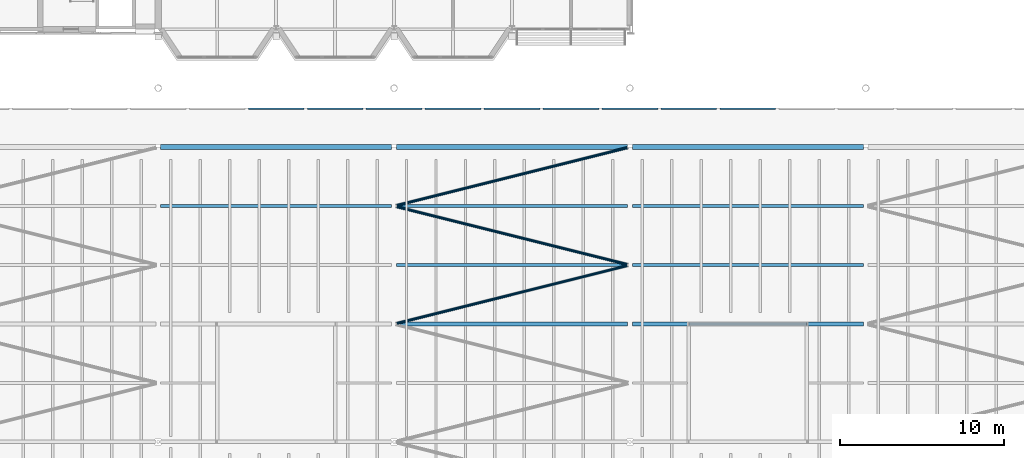
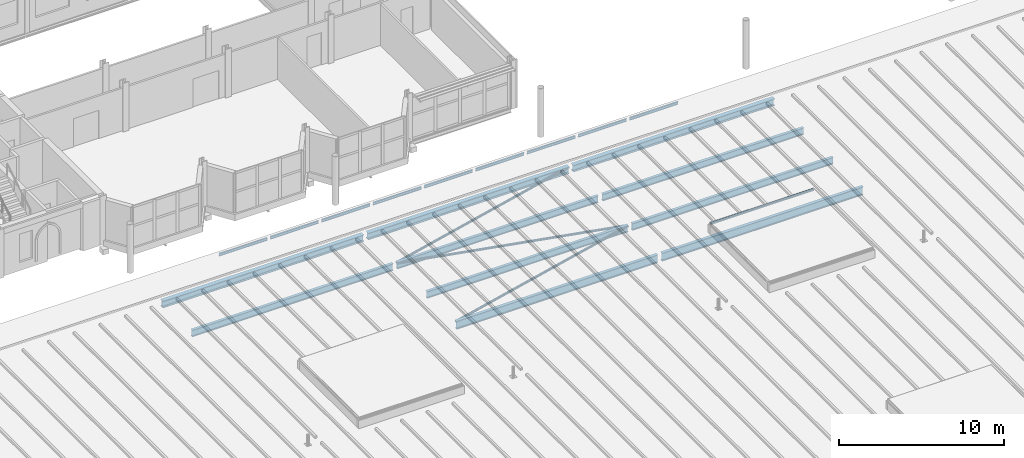
# One storey, part 37 of 120: 19 beams, 4 members.
"""IFC4 building model written with IfcOpenShell, lengths in metres."""

import ifcopenshell
import ifcopenshell.guid

model = None  # the IFC model being written
_history = None  # IfcOwnerHistory: only IFC2X3 demands one
_inside = {}  # id of a spatial element -> (the spatial element, [elements in it])
_under = {}  # id of a project, library or spatial element -> (it, [spatial elements below it])
_declared = {}  # id of a project -> (the project, [libraries it declares])
_typed = {}  # id of a type object -> (the type object, [elements of that type])
_made_of = {}  # id of a material, layer set ... -> (it, [elements and type objects made of it])


def new_model(schema):
    """Start an empty IFC model of exactly this schema.

    Asked for "IFC4X3", IfcOpenShell would pick the latest addendum, in which some entities
    have other attributes; the version numbers below select the first issue.
    IFC2X3 requires an IfcOwnerHistory on every rooted entity: one is made here for all.
    """
    global model, _history
    if schema == "IFC4X3":
        model = ifcopenshell.file(schema_version=(4, 3, 0, 0))
    else:
        model = ifcopenshell.file(schema=schema)
    _inside.clear()
    _under.clear()
    _declared.clear()
    _typed.clear()
    _made_of.clear()
    _history = None
    if model.schema == "IFC2X3":
        org = make("IfcOrganization", Name="unknown")
        user = make(
            "IfcPersonAndOrganization",
            ThePerson=make("IfcPerson", FamilyName="unknown"),
            TheOrganization=org,
        )
        app = make(
            "IfcApplication",
            ApplicationDeveloper=org,
            Version="unknown",
            ApplicationFullName="unknown",
            ApplicationIdentifier="unknown",
        )
        _history = make(
            "IfcOwnerHistory",
            OwningUser=user,
            OwningApplication=app,
            ChangeAction="ADDED",
            CreationDate=0,
        )
    return model


def make(cls, **values):
    """One entity of the class cls with the attributes given. An attribute that is None is left unset."""
    return model.create_entity(
        cls, **{name: value for name, value in values.items() if value is not None}
    )


def rooted(cls, **values):
    """An entity with a GlobalId (a new one), such as an element, a storey or a relation."""
    return make(cls, GlobalId=ifcopenshell.guid.new(), OwnerHistory=_history, **values)


def si_unit(unit_type, name, prefix=None):
    """IfcSIUnit, for example si_unit("LENGTHUNIT", "METRE", prefix="MILLI")."""
    return make("IfcSIUnit", UnitType=unit_type, Prefix=prefix, Name=name)


def assignment(units):
    """IfcUnitAssignment: the units of a project."""
    return None if units is None else make("IfcUnitAssignment", Units=units)


def point(xyz):
    """IfcCartesianPoint."""
    return None if xyz is None else make("IfcCartesianPoint", Coordinates=xyz)


def direction(xyz):
    """IfcDirection."""
    return None if xyz is None else make("IfcDirection", DirectionRatios=xyz)


def frame(location, z_axis=None, x_axis=None):
    """IfcAxis2Placement3D, a coordinate frame: its origin and axes. An axis left out is left unset."""
    return make(
        "IfcAxis2Placement3D",
        Location=point(location),
        Axis=direction(z_axis),
        RefDirection=direction(x_axis),
    )


def frame_2d(location, x_axis=None):
    """IfcAxis2Placement2D, a coordinate frame in the plane: its origin and x axis."""
    return make(
        "IfcAxis2Placement2D", Location=point(location), RefDirection=direction(x_axis)
    )


def origin():
    """The frame at (0, 0, 0) with its axes left unset."""
    return frame((0.0, 0.0, 0.0))


def origin_2d():
    """The frame at (0, 0) in the plane with its x axis left unset."""
    return frame_2d((0.0, 0.0))


def place(relative_to, where):
    """IfcLocalPlacement: puts the frame where relative to a parent placement (None: the world)."""
    return make(
        "IfcLocalPlacement", PlacementRelTo=relative_to, RelativePlacement=where
    )


def context(
    kind, dimensions, precision=None, world=None, true_north=None, identifier=None
):
    """IfcGeometricRepresentationContext, for example the 3D "Model" context."""
    return make(
        "IfcGeometricRepresentationContext",
        ContextIdentifier=identifier,
        ContextType=kind,
        CoordinateSpaceDimension=dimensions,
        Precision=precision,
        WorldCoordinateSystem=world,
        TrueNorth=true_north,
    )


def subcontext(parent, identifier, kind, view, scale=None):
    """IfcGeometricRepresentationSubContext, for example "Body" below "Model"."""
    return make(
        "IfcGeometricRepresentationSubContext",
        ContextIdentifier=identifier,
        ContextType=kind,
        ParentContext=parent,
        TargetScale=scale,
        TargetView=view,
    )


def project(units=None, contexts=None):
    """IfcProject with its units and contexts."""
    return rooted(
        "IfcProject",
        Name="project",
        RepresentationContexts=contexts,
        UnitsInContext=assignment(units),
    )


def spatial(cls, under=None, at=None, **own):
    """A site, building, storey or space (cls), placed at a placement, below another one or the project."""
    s = rooted(cls, ObjectPlacement=at, **own)
    if under is not None:
        _under.setdefault(under.id(), (under, []))[1].append(s)
    return s


def profile(cls, at=None, kind="AREA", **sizes):
    """A parametric profile (cls). Its sizes go by their IFC names, for example OverallWidth=200.0."""
    return make(cls, ProfileType=kind, Position=at, **sizes)


def hollow_circle(**sizes):
    """IfcCircleHollowProfileDef."""
    return profile("IfcCircleHollowProfileDef", **sizes)


def i_section(**sizes):
    """IfcIShapeProfileDef."""
    return profile("IfcIShapeProfileDef", **sizes)


def extrude(swept, where, along, depth):
    """IfcExtrudedAreaSolid: the profile swept, set in the frame where, extruded along a direction by depth."""
    return make(
        "IfcExtrudedAreaSolid",
        SweptArea=swept,
        Position=where,
        ExtrudedDirection=direction(along),
        Depth=depth,
    )


def shape(context_of_items, identifier, shape_type, items):
    """IfcShapeRepresentation: the items that make up one representation, for example the "Body"."""
    return make(
        "IfcShapeRepresentation",
        ContextOfItems=context_of_items,
        RepresentationIdentifier=identifier,
        RepresentationType=shape_type,
        Items=items,
    )


def material(Name=None, Category=None):
    """IfcMaterial."""
    return make("IfcMaterial", Name=Name, Category=Category)


def material_profile(
    of_material, cross_section, Name=None, Category=None, Priority=None
):
    """IfcMaterialProfile: a cross section and its material."""
    return make(
        "IfcMaterialProfile",
        Name=Name,
        Material=of_material,
        Profile=cross_section,
        Priority=Priority,
        Category=Category,
    )


def profile_set(profiles, Name=None, composite=None):
    """IfcMaterialProfileSet."""
    return make(
        "IfcMaterialProfileSet",
        Name=Name,
        MaterialProfiles=profiles,
        CompositeProfile=composite,
    )


def made_of(thing, what):
    """Note that an element or type object is made of a material, layer set ...; save() writes the relation."""
    if what is not None:
        _made_of.setdefault(what.id(), (what, []))[1].append(thing)
    return thing


def type_object(cls, material=None, **own):
    """A type object (cls), such as IfcWallType, which elements share."""
    return made_of(rooted(cls, **own), material)


def element(
    cls,
    number,
    at=None,
    inside=None,
    cuts=None,
    type_object=None,
    material=None,
    context=None,
    identifier="Body",
    shape_type=None,
    held_by="IfcProductDefinitionShape",
    body=None,
    shapes=None,
    **own,
):
    """One element of the class cls, such as IfcWall. Its Tag is "e" and its number.

    at: its placement. inside: the storey or other place that contains it. cuts: it is an
    opening in that element (IfcRelVoidsElement). A single representation is given by context,
    identifier, shape_type and body (its items); several are given by shapes. held_by: the class
    of the entity that holds the representations. save() writes the other relations.
    """
    e = rooted(cls, Tag="e%d" % number, ObjectPlacement=at, **own)
    if body is not None:
        shapes = [shape(context, identifier, shape_type, body)]
    if shapes is not None:
        e.Representation = make(held_by, Representations=shapes)
    if inside is not None:
        _inside.setdefault(inside.id(), (inside, []))[1].append(e)
    if cuts is not None:
        rooted(
            "IfcRelVoidsElement", RelatingBuildingElement=cuts, RelatedOpeningElement=e
        )
    if type_object is not None:
        _typed.setdefault(type_object.id(), (type_object, []))[1].append(e)
    return made_of(e, material)


def aggregate(whole, parts):
    """IfcRelAggregates: a whole, such as a stair, and the parts it consists of."""
    return rooted("IfcRelAggregates", RelatingObject=whole, RelatedObjects=parts)


def save(model, path):
    """Write the relations noted so far, then the file.

    IfcRelAggregates (storeys below a building ...), IfcRelContainedInSpatialStructure (elements
    in a storey), IfcRelDefinesByType, IfcRelAssociatesMaterial and IfcRelDeclares: one each for
    every whole, place, type object, material and project.
    """
    for whole, parts in _under.values():
        aggregate(whole, parts)
    for where, things in _inside.values():
        rooted(
            "IfcRelContainedInSpatialStructure",
            RelatedElements=things,
            RelatingStructure=where,
        )
    for kind, things in _typed.values():
        rooted("IfcRelDefinesByType", RelatedObjects=things, RelatingType=kind)
    for what, things in _made_of.values():
        rooted("IfcRelAssociatesMaterial", RelatedObjects=things, RelatingMaterial=what)
    for by, libraries in _declared.values():
        rooted("IfcRelDeclares", RelatingContext=by, RelatedDefinitions=libraries)
    model.write(path)


model = new_model("IFC4")

# Units and contexts
model_context = context("Model", 3, precision=1e-05, world=origin(), true_north=direction((0.0, 1.0)))
body_context = subcontext(model_context, "Body", "Model", "MODEL_VIEW")
ifc_project = project(units=[si_unit("LENGTHUNIT", "METRE"), si_unit("AREAUNIT", "SQUARE_METRE"), si_unit("VOLUMEUNIT", "CUBIC_METRE"), si_unit("PLANEANGLEUNIT", "RADIAN"), si_unit("MASSUNIT", "GRAM", prefix="KILO")], contexts=[model_context])

# Site, building, storey
site_placement = place(None, origin())
site = spatial("IfcSite", under=ifc_project, at=site_placement, CompositionType="ELEMENT")
building_placement = place(site_placement, origin())
building = spatial("IfcBuilding", under=site, at=building_placement, Name="Kupolbacken Congress Centre", CompositionType="ELEMENT")
storey_placement = place(building_placement, frame((0.0, 0.0, 21.60009765625)))
storey = spatial("IfcBuildingStorey", under=building, at=storey_placement, Name="L06", CompositionType="ELEMENT", Elevation=21.60009765625)

# Beams
ifc_material_1 = material(Name="Steel S355", Category="steel")
ifc_material_profile_1 = material_profile(ifc_material_1, i_section(OverallWidth=0.10009765625, OverallDepth=0.199951171875, WebThickness=0.005615234375, FlangeThickness=0.008544921875, FilletRadius=0.011962890625, at=origin_2d()), Name="IPE 200")
ifc_profile_set_1 = profile_set([ifc_material_profile_1], Name="Steel S355")
beam_type_1 = type_object("IfcBeamType", Name="B01 beam IPE 200", PredefinedType="BEAM", material=ifc_profile_set_1)
for number, where, z_axis, x_axis, name in (
    (1, (113.5, 117.550048828125, 0.06982421875), (1.0, 0.0, 0.0), (0.0, 1.0, 0.0), "S/edge/HE/N/08"),
    (2, (117.10009765625, 117.550048828125, 0.06982421875), (1.0, 0.0, 0.0), (0.0, 1.0, 0.0), "S/edge/HE/N/09"),
):
    element("IfcBeam", number, at=place(storey_placement, frame(where, z_axis=z_axis, x_axis=x_axis)), inside=storey, type_object=beam_type_1, Name=name, PredefinedType="BEAM", context=body_context, shape_type="SweptSolid", body=[
        extrude(i_section(OverallWidth=0.10009765625, OverallDepth=0.199951171875, WebThickness=0.005615234375, FlangeThickness=0.008544921875, FilletRadius=0.011962890625, at=origin_2d()), origin(), (0.0, 0.0, 1.0), 3.39990234375),
    ])
beam_1_placement = place(storey_placement, frame((120.699951171875, 117.550048828125, 0.06982421875), z_axis=(1.0, 0.0, 0.0), x_axis=(0.0, 1.0, 0.0)))
element("IfcBeam", 3, at=beam_1_placement, inside=storey, type_object=beam_type_1, Name="S/edge/HE/N/10", PredefinedType="BEAM", context=body_context, shape_type="SweptSolid", body=[
    extrude(i_section(OverallWidth=0.10009765625, OverallDepth=0.199951171875, WebThickness=0.005615234375, FlangeThickness=0.008544921875, FilletRadius=0.011962890625, at=origin_2d()), origin(), (0.0, 0.0, 1.0), 3.400146484375),
])
beam_2_placement = place(storey_placement, frame((124.300048828125, 117.550048828125, 0.06982421875), z_axis=(1.0, 0.0, 0.0), x_axis=(0.0, 1.0, 0.0)))
element("IfcBeam", 4, at=beam_2_placement, inside=storey, type_object=beam_type_1, Name="S/edge/HE/N/11", PredefinedType="BEAM", context=body_context, shape_type="SweptSolid", body=[
    extrude(i_section(OverallWidth=0.10009765625, OverallDepth=0.199951171875, WebThickness=0.005615234375, FlangeThickness=0.008544921875, FilletRadius=0.011962890625, at=origin_2d()), origin(), (0.0, 0.0, 1.0), 3.39990234375),
])
beam_3_placement = place(storey_placement, frame((127.89990234375, 117.550048828125, 0.06982421875), z_axis=(1.0, 0.0, 0.0), x_axis=(0.0, 1.0, 0.0)))
element("IfcBeam", 5, at=beam_3_placement, inside=storey, type_object=beam_type_1, Name="S/edge/HE/N/12", PredefinedType="BEAM", context=body_context, shape_type="SweptSolid", body=[
    extrude(i_section(OverallWidth=0.10009765625, OverallDepth=0.199951171875, WebThickness=0.005615234375, FlangeThickness=0.008544921875, FilletRadius=0.011962890625, at=origin_2d()), origin(), (0.0, 0.0, 1.0), 3.400146484375),
])
for number, where, z_axis, x_axis, name in (
    (6, (131.5, 117.550048828125, 0.06982421875), (1.0, 0.0, 0.0), (0.0, 1.0, 0.0), "S/edge/HE/N/13"),
    (7, (135.10009765625, 117.550048828125, 0.06982421875), (1.0, 0.0, 0.0), (0.0, 1.0, 0.0), "S/edge/HE/N/14"),
):
    element("IfcBeam", number, at=place(storey_placement, frame(where, z_axis=z_axis, x_axis=x_axis)), inside=storey, type_object=beam_type_1, Name=name, PredefinedType="BEAM", context=body_context, shape_type="SweptSolid", body=[
        extrude(i_section(OverallWidth=0.10009765625, OverallDepth=0.199951171875, WebThickness=0.005615234375, FlangeThickness=0.008544921875, FilletRadius=0.011962890625, at=origin_2d()), origin(), (0.0, 0.0, 1.0), 3.39990234375),
    ])
beam_4_placement = place(storey_placement, frame((138.699951171875, 117.550048828125, 0.06982421875), z_axis=(1.0, 0.0, 0.0), x_axis=(0.0, 1.0, 0.0)))
element("IfcBeam", 8, at=beam_4_placement, inside=storey, type_object=beam_type_1, Name="S/edge/HE/N/15", PredefinedType="BEAM", context=body_context, shape_type="SweptSolid", body=[
    extrude(i_section(OverallWidth=0.10009765625, OverallDepth=0.199951171875, WebThickness=0.005615234375, FlangeThickness=0.008544921875, FilletRadius=0.011962890625, at=origin_2d()), origin(), (0.0, 0.0, 1.0), 3.400146484375),
])
beam_5_placement = place(storey_placement, frame((142.300048828125, 117.550048828125, 0.06982421875), z_axis=(1.0, 0.0, 0.0), x_axis=(0.0, 1.0, 0.0)))
element("IfcBeam", 9, at=beam_5_placement, inside=storey, type_object=beam_type_1, Name="S/edge/HE/N/16", PredefinedType="BEAM", context=body_context, shape_type="SweptSolid", body=[
    extrude(i_section(OverallWidth=0.10009765625, OverallDepth=0.199951171875, WebThickness=0.005615234375, FlangeThickness=0.008544921875, FilletRadius=0.011962890625, at=origin_2d()), origin(), (0.0, 0.0, 1.0), 3.39990234375),
])
ifc_material_2 = material(Name="Steel S355", Category="steel")
ifc_material_profile_2 = material_profile(ifc_material_2, i_section(OverallWidth=0.199951171875, OverallDepth=0.5, WebThickness=0.01025390625, FlangeThickness=0.01611328125, FilletRadius=0.02099609375, at=origin_2d()), Name="IPE 500")
ifc_profile_set_2 = profile_set([ifc_material_profile_2], Name="Steel S355")
beam_type_2 = type_object("IfcBeamType", Name="B09 beam IPE 500", PredefinedType="BEAM", material=ifc_profile_set_2)
beam_6_placement = place(storey_placement, frame((122.544921875, 108.0, -0.25), z_axis=(1.0, 0.0, 0.0), x_axis=(0.0, 1.0, 0.0)))
element("IfcBeam", 10, at=beam_6_placement, inside=storey, type_object=beam_type_2, Name="HR/P18-03", PredefinedType="BEAM", context=body_context, shape_type="SweptSolid", body=[
    extrude(i_section(OverallWidth=0.199951171875, OverallDepth=0.5, WebThickness=0.01025390625, FlangeThickness=0.01611328125, FilletRadius=0.02099609375, at=origin_2d()), origin(), (0.0, 0.0, 1.0), 14.110107421875),
])
for number, where, z_axis, x_axis, name in (
    (11, (136.945068359375, 108.0, -0.25), (1.0, 0.0, 0.0), (0.0, 1.0, 0.0), "HR/P18-04"),
    (12, (108.14501953125, 111.60009765625, -0.25), (1.0, 0.0, 0.0), (0.0, 1.0, 0.0), "HR/P19-02"),
):
    element("IfcBeam", number, at=place(storey_placement, frame(where, z_axis=z_axis, x_axis=x_axis)), inside=storey, type_object=beam_type_2, Name=name, PredefinedType="BEAM", context=body_context, shape_type="SweptSolid", body=[
        extrude(i_section(OverallWidth=0.199951171875, OverallDepth=0.5, WebThickness=0.01025390625, FlangeThickness=0.01611328125, FilletRadius=0.02099609375, at=origin_2d()), origin(), (0.0, 0.0, 1.0), 14.10986328125),
    ])
beam_7_placement = place(storey_placement, frame((122.544921875, 111.60009765625, -0.25), z_axis=(1.0, 0.0, 0.0), x_axis=(0.0, 1.0, 0.0)))
element("IfcBeam", 13, at=beam_7_placement, inside=storey, type_object=beam_type_2, Name="HR/P19-03", PredefinedType="BEAM", context=body_context, shape_type="SweptSolid", body=[
    extrude(i_section(OverallWidth=0.199951171875, OverallDepth=0.5, WebThickness=0.01025390625, FlangeThickness=0.01611328125, FilletRadius=0.02099609375, at=origin_2d()), origin(), (0.0, 0.0, 1.0), 14.110107421875),
])
beam_8_placement = place(storey_placement, frame((136.945068359375, 111.60009765625, -0.25), z_axis=(1.0, 0.0, 0.0), x_axis=(0.0, 1.0, 0.0)))
element("IfcBeam", 14, at=beam_8_placement, inside=storey, type_object=beam_type_2, Name="HR/P19-04", PredefinedType="BEAM", context=body_context, shape_type="SweptSolid", body=[
    extrude(i_section(OverallWidth=0.199951171875, OverallDepth=0.5, WebThickness=0.01025390625, FlangeThickness=0.01611328125, FilletRadius=0.02099609375, at=origin_2d()), origin(), (0.0, 0.0, 1.0), 14.10986328125),
])
ifc_material_3 = material(Name="Steel S355", Category="steel")
ifc_material_profile_3 = material_profile(ifc_material_3, i_section(OverallWidth=0.219970703125, OverallDepth=0.60009765625, WebThickness=0.011962890625, FlangeThickness=0.01904296875, FilletRadius=0.02392578125, at=origin_2d()), Name="IPE 600")
ifc_profile_set_3 = profile_set([ifc_material_profile_3], Name="Steel S355")
beam_type_3 = type_object("IfcBeamType", Name="B11 beam IPE 600", PredefinedType="BEAM", material=ifc_profile_set_3)
beam_9_placement = place(storey_placement, frame((122.544921875, 104.39990234375, -0.300048828125), z_axis=(1.0, 0.0, 0.0), x_axis=(0.0, 1.0, 0.0)))
element("IfcBeam", 15, at=beam_9_placement, inside=storey, type_object=beam_type_3, Name="HR/X17-03", PredefinedType="BEAM", context=body_context, shape_type="SweptSolid", body=[
    extrude(i_section(OverallWidth=0.219970703125, OverallDepth=0.60009765625, WebThickness=0.011962890625, FlangeThickness=0.01904296875, FilletRadius=0.02392578125, at=origin_2d()), origin(), (0.0, 0.0, 1.0), 14.110107421875),
])
beam_10_placement = place(storey_placement, frame((136.945068359375, 104.39990234375, -0.300048828125), z_axis=(1.0, 0.0, 0.0), x_axis=(0.0, 1.0, 0.0)))
element("IfcBeam", 16, at=beam_10_placement, inside=storey, type_object=beam_type_3, Name="HR/X17-04", PredefinedType="BEAM", context=body_context, shape_type="SweptSolid", body=[
    extrude(i_section(OverallWidth=0.219970703125, OverallDepth=0.60009765625, WebThickness=0.011962890625, FlangeThickness=0.01904296875, FilletRadius=0.02392578125, at=origin_2d()), origin(), (0.0, 0.0, 1.0), 14.10986328125),
])
ifc_material_4 = material(Name="Steel S355", Category="steel")
ifc_material_profile_4 = material_profile(ifc_material_4, i_section(OverallWidth=0.300048828125, OverallDepth=0.5, WebThickness=0.014404296875, FlangeThickness=0.028076171875, FilletRadius=0.027099609375, at=origin_2d()), Name="HEB 500")
ifc_profile_set_4 = profile_set([ifc_material_profile_4], Name="Steel S355")
beam_type_4 = type_object("IfcBeamType", Name="B20 beam HEB 500", PredefinedType="BEAM", material=ifc_profile_set_4)
beam_11_placement = place(storey_placement, frame((108.14501953125, 115.199951171875, -0.25), z_axis=(1.0, 0.0, 0.0), x_axis=(0.0, 1.0, 0.0)))
element("IfcBeam", 17, at=beam_11_placement, inside=storey, type_object=beam_type_4, Name="HR/E20-02", PredefinedType="BEAM", context=body_context, shape_type="SweptSolid", body=[
    extrude(i_section(OverallWidth=0.300048828125, OverallDepth=0.5, WebThickness=0.014404296875, FlangeThickness=0.028076171875, FilletRadius=0.027099609375, at=origin_2d()), origin(), (0.0, 0.0, 1.0), 14.10986328125),
])
beam_12_placement = place(storey_placement, frame((122.544921875, 115.199951171875, -0.25), z_axis=(1.0, 0.0, 0.0), x_axis=(0.0, 1.0, 0.0)))
element("IfcBeam", 18, at=beam_12_placement, inside=storey, type_object=beam_type_4, Name="HR/E20-03", PredefinedType="BEAM", context=body_context, shape_type="SweptSolid", body=[
    extrude(i_section(OverallWidth=0.300048828125, OverallDepth=0.5, WebThickness=0.014404296875, FlangeThickness=0.028076171875, FilletRadius=0.027099609375, at=origin_2d()), origin(), (0.0, 0.0, 1.0), 14.110107421875),
])
beam_13_placement = place(storey_placement, frame((136.945068359375, 115.199951171875, -0.25), z_axis=(1.0, 0.0, 0.0), x_axis=(0.0, 1.0, 0.0)))
element("IfcBeam", 19, at=beam_13_placement, inside=storey, type_object=beam_type_4, Name="HR/E20-04", PredefinedType="BEAM", context=body_context, shape_type="SweptSolid", body=[
    extrude(i_section(OverallWidth=0.300048828125, OverallDepth=0.5, WebThickness=0.014404296875, FlangeThickness=0.028076171875, FilletRadius=0.027099609375, at=origin_2d()), origin(), (0.0, 0.0, 1.0), 14.10986328125),
])

# Members
ifc_material_5 = material(Name="Steel S355", Category="steel")
ifc_material_profile_5 = material_profile(ifc_material_5, hollow_circle(Radius=0.084228515625, WallThickness=0.008056640625, at=origin_2d()), Name="CHS 168.3 x 8")
ifc_profile_set_5 = profile_set([ifc_material_profile_5], Name="Steel S355")
member_type = type_object("IfcMemberType", Name="M21 brace CHS 168.3 x 8", PredefinedType="BRACE", material=ifc_profile_set_5)
for number, where, z_axis, x_axis, name in (
    (20, (122.540771484375, 104.43505859375, -0.084228515625), (0.970140526498, 0.24254351949, 0.0), (-0.24254351949, 0.970140526498, 0.0), "HR/RB/03-17"),
    (21, (136.659423828125, 108.03515625, -0.084228515625), (-0.970140526498, 0.24254351949, 0.0), (-0.24254351949, -0.970140526498, 0.0), "HR/RB/03-18"),
    (22, (122.540771484375, 111.63525390625, -0.084228515625), (0.970144473737, 0.242527730535, 0.0), (-0.242527730535, 0.970144473737, 0.0), "HR/RB/03-19"),
):
    element("IfcMember", number, at=place(storey_placement, frame(where, z_axis=z_axis, x_axis=x_axis)), inside=storey, type_object=member_type, Name=name, PredefinedType="BRACE", context=body_context, shape_type="SweptSolid", body=[
        extrude(hollow_circle(Radius=0.084228515625, WallThickness=0.008056640625, at=origin_2d()), origin(), (0.0, 0.0, 1.0), 14.55322265625),
    ])
member_placement = place(storey_placement, frame((140.39990234375, 104.39990234375, 0.944091796875), z_axis=(1.0, 0.0, 0.0), x_axis=(0.0, 1.0, 0.0)))
element("IfcMember", 23, at=member_placement, inside=storey, type_object=member_type, Name="RD/RL6/FN", PredefinedType="BRACE", context=body_context, shape_type="SweptSolid", body=[
    extrude(hollow_circle(Radius=0.084228515625, WallThickness=0.008056640625, at=origin_2d()), origin(), (0.0, 0.0, 1.0), 7.2001953125),
])

save(model, "model.ifc")
